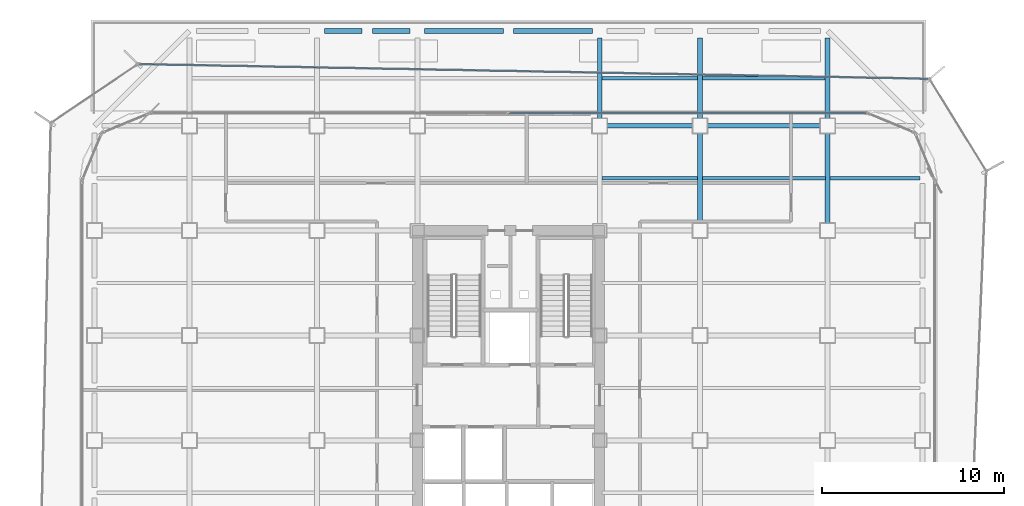
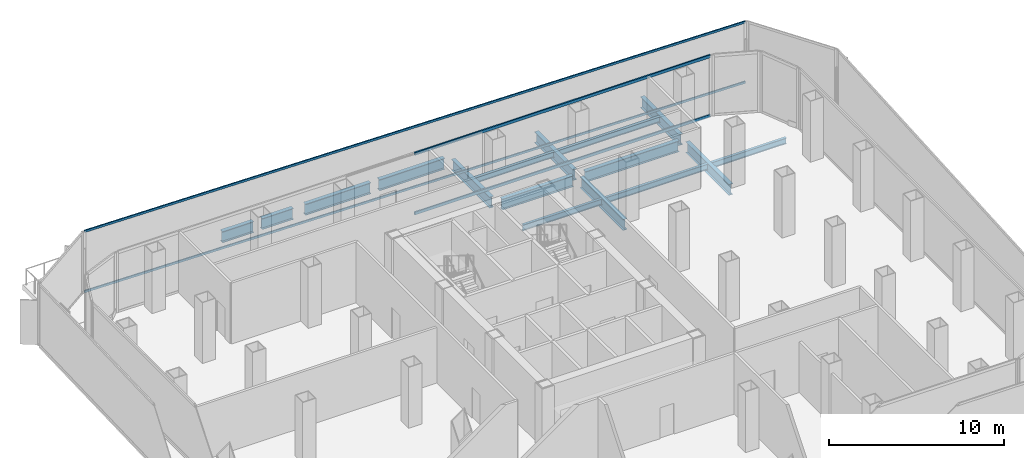
# One storey, part 13 of 21: 16 beams, 4 members, 2 elements without a shape of their own.
"""IFC4 building model written with IfcOpenShell, lengths in metres."""

import ifcopenshell
import ifcopenshell.guid

model = None  # the IFC model being written
_history = None  # IfcOwnerHistory: only IFC2X3 demands one
_inside = {}  # id of a spatial element -> (the spatial element, [elements in it])
_under = {}  # id of a project, library or spatial element -> (it, [spatial elements below it])
_declared = {}  # id of a project -> (the project, [libraries it declares])
_typed = {}  # id of a type object -> (the type object, [elements of that type])
_made_of = {}  # id of a material, layer set ... -> (it, [elements and type objects made of it])


def new_model(schema):
    """Start an empty IFC model of exactly this schema.

    Asked for "IFC4X3", IfcOpenShell would pick the latest addendum, in which some entities
    have other attributes; the version numbers below select the first issue.
    IFC2X3 requires an IfcOwnerHistory on every rooted entity: one is made here for all.
    """
    global model, _history
    if schema == "IFC4X3":
        model = ifcopenshell.file(schema_version=(4, 3, 0, 0))
    else:
        model = ifcopenshell.file(schema=schema)
    _inside.clear()
    _under.clear()
    _declared.clear()
    _typed.clear()
    _made_of.clear()
    _history = None
    if model.schema == "IFC2X3":
        org = make("IfcOrganization", Name="unknown")
        user = make(
            "IfcPersonAndOrganization",
            ThePerson=make("IfcPerson", FamilyName="unknown"),
            TheOrganization=org,
        )
        app = make(
            "IfcApplication",
            ApplicationDeveloper=org,
            Version="unknown",
            ApplicationFullName="unknown",
            ApplicationIdentifier="unknown",
        )
        _history = make(
            "IfcOwnerHistory",
            OwningUser=user,
            OwningApplication=app,
            ChangeAction="ADDED",
            CreationDate=0,
        )
    return model


def make(cls, **values):
    """One entity of the class cls with the attributes given. An attribute that is None is left unset."""
    return model.create_entity(
        cls, **{name: value for name, value in values.items() if value is not None}
    )


def rooted(cls, **values):
    """An entity with a GlobalId (a new one), such as an element, a storey or a relation."""
    return make(cls, GlobalId=ifcopenshell.guid.new(), OwnerHistory=_history, **values)


def si_unit(unit_type, name, prefix=None):
    """IfcSIUnit, for example si_unit("LENGTHUNIT", "METRE", prefix="MILLI")."""
    return make("IfcSIUnit", UnitType=unit_type, Prefix=prefix, Name=name)


def assignment(units):
    """IfcUnitAssignment: the units of a project."""
    return None if units is None else make("IfcUnitAssignment", Units=units)


def point(xyz):
    """IfcCartesianPoint."""
    return None if xyz is None else make("IfcCartesianPoint", Coordinates=xyz)


def direction(xyz):
    """IfcDirection."""
    return None if xyz is None else make("IfcDirection", DirectionRatios=xyz)


def frame(location, z_axis=None, x_axis=None):
    """IfcAxis2Placement3D, a coordinate frame: its origin and axes. An axis left out is left unset."""
    return make(
        "IfcAxis2Placement3D",
        Location=point(location),
        Axis=direction(z_axis),
        RefDirection=direction(x_axis),
    )


def frame_2d(location, x_axis=None):
    """IfcAxis2Placement2D, a coordinate frame in the plane: its origin and x axis."""
    return make(
        "IfcAxis2Placement2D", Location=point(location), RefDirection=direction(x_axis)
    )


def origin():
    """The frame at (0, 0, 0) with its axes left unset."""
    return frame((0.0, 0.0, 0.0))


def origin_2d():
    """The frame at (0, 0) in the plane with its x axis left unset."""
    return frame_2d((0.0, 0.0))


def place(relative_to, where):
    """IfcLocalPlacement: puts the frame where relative to a parent placement (None: the world)."""
    return make(
        "IfcLocalPlacement", PlacementRelTo=relative_to, RelativePlacement=where
    )


def context(
    kind, dimensions, precision=None, world=None, true_north=None, identifier=None
):
    """IfcGeometricRepresentationContext, for example the 3D "Model" context."""
    return make(
        "IfcGeometricRepresentationContext",
        ContextIdentifier=identifier,
        ContextType=kind,
        CoordinateSpaceDimension=dimensions,
        Precision=precision,
        WorldCoordinateSystem=world,
        TrueNorth=true_north,
    )


def subcontext(parent, identifier, kind, view, scale=None):
    """IfcGeometricRepresentationSubContext, for example "Body" below "Model"."""
    return make(
        "IfcGeometricRepresentationSubContext",
        ContextIdentifier=identifier,
        ContextType=kind,
        ParentContext=parent,
        TargetScale=scale,
        TargetView=view,
    )


def project(units=None, contexts=None):
    """IfcProject with its units and contexts."""
    return rooted(
        "IfcProject",
        Name="project",
        RepresentationContexts=contexts,
        UnitsInContext=assignment(units),
    )


def spatial(cls, under=None, at=None, **own):
    """A site, building, storey or space (cls), placed at a placement, below another one or the project."""
    s = rooted(cls, ObjectPlacement=at, **own)
    if under is not None:
        _under.setdefault(under.id(), (under, []))[1].append(s)
    return s


def profile(cls, at=None, kind="AREA", **sizes):
    """A parametric profile (cls). Its sizes go by their IFC names, for example OverallWidth=200.0."""
    return make(cls, ProfileType=kind, Position=at, **sizes)


def hollow_rectangle(**sizes):
    """IfcRectangleHollowProfileDef."""
    return profile("IfcRectangleHollowProfileDef", **sizes)


def i_section(**sizes):
    """IfcIShapeProfileDef."""
    return profile("IfcIShapeProfileDef", **sizes)


def extrude(swept, where, along, depth):
    """IfcExtrudedAreaSolid: the profile swept, set in the frame where, extruded along a direction by depth."""
    return make(
        "IfcExtrudedAreaSolid",
        SweptArea=swept,
        Position=where,
        ExtrudedDirection=direction(along),
        Depth=depth,
    )


def shape(context_of_items, identifier, shape_type, items):
    """IfcShapeRepresentation: the items that make up one representation, for example the "Body"."""
    return make(
        "IfcShapeRepresentation",
        ContextOfItems=context_of_items,
        RepresentationIdentifier=identifier,
        RepresentationType=shape_type,
        Items=items,
    )


def source(mapping_origin, context_of_items, identifier, shape_type, items):
    """IfcRepresentationMap: a shape defined once, which mapped items show again and again."""
    return make(
        "IfcRepresentationMap",
        MappingOrigin=mapping_origin,
        MappedRepresentation=shape(context_of_items, identifier, shape_type, items),
    )


def transform(
    local_origin,
    x_axis=None,
    y_axis=None,
    z_axis=None,
    scale=None,
    scale2=None,
    scale3=None,
    uniform=True,
):
    """IfcCartesianTransformationOperator3D, or its non-uniform kind. x_axis, y_axis, z_axis: its Axis1, 2, 3."""
    if uniform:
        return make(
            "IfcCartesianTransformationOperator3D",
            Axis1=direction(x_axis),
            Axis2=direction(y_axis),
            LocalOrigin=point(local_origin),
            Scale=scale,
            Axis3=direction(z_axis),
        )
    return make(
        "IfcCartesianTransformationOperator3DnonUniform",
        Axis1=direction(x_axis),
        Axis2=direction(y_axis),
        LocalOrigin=point(local_origin),
        Scale=scale,
        Axis3=direction(z_axis),
        Scale2=scale2,
        Scale3=scale3,
    )


def mapped(mapping_source, mapping_target):
    """IfcMappedItem: shows the shape of a source again, moved by a transform."""
    return make(
        "IfcMappedItem", MappingSource=mapping_source, MappingTarget=mapping_target
    )


def material(Name=None, Category=None):
    """IfcMaterial."""
    return make("IfcMaterial", Name=Name, Category=Category)


def layer(
    of_material, thickness, ventilated=None, Name=None, Category=None, Priority=None
):
    """IfcMaterialLayer: one layer of a wall or slab, of a material (None: an air gap)."""
    return make(
        "IfcMaterialLayer",
        Material=of_material,
        LayerThickness=thickness,
        IsVentilated=ventilated,
        Name=Name,
        Category=Category,
        Priority=Priority,
    )


def layer_set(layers, Name=None):
    """IfcMaterialLayerSet."""
    return make("IfcMaterialLayerSet", MaterialLayers=layers, LayerSetName=Name)


def material_profile(
    of_material, cross_section, Name=None, Category=None, Priority=None
):
    """IfcMaterialProfile: a cross section and its material."""
    return make(
        "IfcMaterialProfile",
        Name=Name,
        Material=of_material,
        Profile=cross_section,
        Priority=Priority,
        Category=Category,
    )


def profile_set(profiles, Name=None, composite=None):
    """IfcMaterialProfileSet."""
    return make(
        "IfcMaterialProfileSet",
        Name=Name,
        MaterialProfiles=profiles,
        CompositeProfile=composite,
    )


def made_of(thing, what):
    """Note that an element or type object is made of a material, layer set ...; save() writes the relation."""
    if what is not None:
        _made_of.setdefault(what.id(), (what, []))[1].append(thing)
    return thing


def type_object(cls, material=None, **own):
    """A type object (cls), such as IfcWallType, which elements share."""
    return made_of(rooted(cls, **own), material)


def element(
    cls,
    number,
    at=None,
    inside=None,
    cuts=None,
    type_object=None,
    material=None,
    context=None,
    identifier="Body",
    shape_type=None,
    held_by="IfcProductDefinitionShape",
    body=None,
    shapes=None,
    **own,
):
    """One element of the class cls, such as IfcWall. Its Tag is "e" and its number.

    at: its placement. inside: the storey or other place that contains it. cuts: it is an
    opening in that element (IfcRelVoidsElement). A single representation is given by context,
    identifier, shape_type and body (its items); several are given by shapes. held_by: the class
    of the entity that holds the representations. save() writes the other relations.
    """
    e = rooted(cls, Tag="e%d" % number, ObjectPlacement=at, **own)
    if body is not None:
        shapes = [shape(context, identifier, shape_type, body)]
    if shapes is not None:
        e.Representation = make(held_by, Representations=shapes)
    if inside is not None:
        _inside.setdefault(inside.id(), (inside, []))[1].append(e)
    if cuts is not None:
        rooted(
            "IfcRelVoidsElement", RelatingBuildingElement=cuts, RelatedOpeningElement=e
        )
    if type_object is not None:
        _typed.setdefault(type_object.id(), (type_object, []))[1].append(e)
    return made_of(e, material)


def aggregate(whole, parts):
    """IfcRelAggregates: a whole, such as a stair, and the parts it consists of."""
    return rooted("IfcRelAggregates", RelatingObject=whole, RelatedObjects=parts)


def save(model, path):
    """Write the relations noted so far, then the file.

    IfcRelAggregates (storeys below a building ...), IfcRelContainedInSpatialStructure (elements
    in a storey), IfcRelDefinesByType, IfcRelAssociatesMaterial and IfcRelDeclares: one each for
    every whole, place, type object, material and project.
    """
    for whole, parts in _under.values():
        aggregate(whole, parts)
    for where, things in _inside.values():
        rooted(
            "IfcRelContainedInSpatialStructure",
            RelatedElements=things,
            RelatingStructure=where,
        )
    for kind, things in _typed.values():
        rooted("IfcRelDefinesByType", RelatedObjects=things, RelatingType=kind)
    for what, things in _made_of.values():
        rooted("IfcRelAssociatesMaterial", RelatedObjects=things, RelatingMaterial=what)
    for by, libraries in _declared.values():
        rooted("IfcRelDeclares", RelatingContext=by, RelatedDefinitions=libraries)
    model.write(path)


model = new_model("IFC4")

# Units and contexts
model_context = context("Model", 3, precision=1e-05, world=origin(), true_north=direction((0.0, 1.0)))
body_context = subcontext(model_context, "Body", "Model", "MODEL_VIEW")
ifc_project = project(units=[si_unit("LENGTHUNIT", "METRE"), si_unit("AREAUNIT", "SQUARE_METRE"), si_unit("VOLUMEUNIT", "CUBIC_METRE"), si_unit("PLANEANGLEUNIT", "RADIAN"), si_unit("MASSUNIT", "GRAM", prefix="KILO")], contexts=[model_context])

# Site, building, storey
site_placement = place(None, origin())
site = spatial("IfcSite", under=ifc_project, at=site_placement, CompositionType="ELEMENT")
building_placement = place(site_placement, origin())
building = spatial("IfcBuilding", under=site, at=building_placement, Name="Kolveth Station Tower", CompositionType="ELEMENT")
storey_placement = place(building_placement, frame((0.0, 0.0, 88.199951171875)))
storey = spatial("IfcBuildingStorey", under=building, at=storey_placement, Name="L23", CompositionType="ELEMENT", Elevation=88.199951171875)

# Beams
ifc_material_1 = material(Name="Steel S355", Category="steel")
ifc_material_profile_1 = material_profile(ifc_material_1, i_section(OverallWidth=0.26904296875, OverallDepth=0.77490234375, WebThickness=0.01708984375, FlangeThickness=0.0283203125, at=origin_2d()), Name="W760x220")
ifc_profile_set_1 = profile_set([ifc_material_profile_1], Name="Steel S355")
beam_type_1 = type_object("IfcBeamType", Name="Beam_SP1", PredefinedType="SPANDREL", material=ifc_profile_set_1)
shared_shape_1 = source(origin(), body_context, "Body", "SweptSolid", [
    extrude(i_section(OverallWidth=0.26904296875, OverallDepth=0.77490234375, WebThickness=0.01708984375, FlangeThickness=0.0283203125, at=origin_2d()), origin(), (0.0, 0.0, 1.0), 2.070068359375),
])
for number, where, z_axis, x_axis, name in (
    (1, (13.39990234375, 39.699951171875, -0.74755859375), (1.0, 0.0, 0.0), (0.0, 1.0, 0.0), "L23 Perimeter Spandrel BM-L23-PN-3"),
    (2, (16.030029296875, 39.699951171875, -0.74755859375), (1.0, 0.0, 0.0), (0.0, 1.0, 0.0), "L23 Perimeter Spandrel BM-L23-PN-4"),
):
    element("IfcBeam", number, at=place(storey_placement, frame(where, z_axis=z_axis, x_axis=x_axis)), inside=storey, type_object=beam_type_1, Name=name, PredefinedType="SPANDREL", context=body_context, shape_type="MappedRepresentation", body=[
        mapped(shared_shape_1, transform((0.0, 0.0, 0.0), x_axis=(1.0, 0.0, 0.0), y_axis=(0.0, 1.0, 0.0), z_axis=(0.0, 0.0, 1.0), scale=1.0)),
    ])
shared_shape_2 = source(origin(), body_context, "Body", "SweptSolid", [
    extrude(i_section(OverallWidth=0.26904296875, OverallDepth=0.77490234375, WebThickness=0.01708984375, FlangeThickness=0.0283203125, at=origin_2d()), origin(), (0.0, 0.0, 1.0), 4.320068359375),
])
for number, where, z_axis, x_axis, name in (
    (3, (18.89990234375, 39.699951171875, -0.74755859375), (1.0, 0.0, 0.0), (0.0, 1.0, 0.0), "L23 Perimeter Spandrel BM-L23-PN-5"),
    (4, (23.780029296875, 39.699951171875, -0.74755859375), (1.0, 0.0, 0.0), (0.0, 1.0, 0.0), "L23 Perimeter Spandrel BM-L23-PN-6"),
):
    element("IfcBeam", number, at=place(storey_placement, frame(where, z_axis=z_axis, x_axis=x_axis)), inside=storey, type_object=beam_type_1, Name=name, PredefinedType="SPANDREL", context=body_context, shape_type="MappedRepresentation", body=[
        mapped(shared_shape_2, transform((0.0, 0.0, 0.0), x_axis=(1.0, 0.0, 0.0), y_axis=(0.0, 1.0, 0.0), z_axis=(0.0, 0.0, 1.0), scale=1.0)),
    ])
ifc_material_profile_2 = material_profile(ifc_material_1, i_section(OverallWidth=0.26708984375, OverallDepth=0.76611328125, WebThickness=0.014892578125, FlangeThickness=0.023681640625, at=origin_2d()), Name="W760x185")
ifc_profile_set_2 = profile_set([ifc_material_profile_2], Name="Steel S355")
beam_type_2 = type_object("IfcBeamType", Name="Beam_B3", PredefinedType="BEAM", material=ifc_profile_set_2)
shared_shape_3 = source(origin(), body_context, "Body", "SweptSolid", [
    extrude(i_section(OverallWidth=0.26708984375, OverallDepth=0.76611328125, WebThickness=0.014892578125, FlangeThickness=0.023681640625, at=origin_2d()), origin(), (0.0, 0.0, 1.0), 4.400146484375),
])
for number, where, z_axis, x_axis, name in (
    (5, (28.5, 34.89990234375, -0.742919921875), (0.0, 1.0, 0.0), (-1.0, 0.0, 0.0), "L23 Primary Girder BM-L23-GX285-7"),
    (6, (34.0, 34.89990234375, -0.742919921875), (0.0, 1.0, 0.0), (-1.0, 0.0, 0.0), "L23 Primary Girder BM-L23-GX340-7"),
    (7, (41.0, 34.89990234375, -0.742919921875), (0.0, 1.0, 0.0), (-1.0, 0.0, 0.0), "L23 Primary Girder BM-L23-GX410-7"),
):
    element("IfcBeam", number, at=place(storey_placement, frame(where, z_axis=z_axis, x_axis=x_axis)), inside=storey, type_object=beam_type_2, Name=name, PredefinedType="BEAM", context=body_context, shape_type="MappedRepresentation", body=[
        mapped(shared_shape_3, transform((0.0, 0.0, 0.0), x_axis=(1.0, 0.0, 0.0), y_axis=(0.0, 1.0, 0.0), z_axis=(0.0, 0.0, 1.0), scale=1.0)),
    ])
shared_shape_4 = source(origin(), body_context, "Body", "SweptSolid", [
    extrude(i_section(OverallWidth=0.26708984375, OverallDepth=0.76611328125, WebThickness=0.014892578125, FlangeThickness=0.023681640625, at=origin_2d()), origin(), (0.0, 0.0, 1.0), 6.2001953125),
])
beam_1_placement = place(storey_placement, frame((34.39990234375, 34.5, -0.742919921875), z_axis=(1.0, 0.0, 0.0), x_axis=(0.0, 1.0, 0.0)))
element("IfcBeam", 8, at=beam_1_placement, inside=storey, type_object=beam_type_2, Name="L23 Primary Girder BM-L23-GY345-6", PredefinedType="BEAM", context=body_context, shape_type="MappedRepresentation", body=[
    mapped(shared_shape_4, transform((0.0, 0.0, 0.0), x_axis=(1.0, 0.0, 0.0), y_axis=(0.0, 1.0, 0.0), z_axis=(0.0, 0.0, 1.0), scale=1.0)),
])
shared_shape_5 = source(origin(), body_context, "Body", "SweptSolid", [
    extrude(i_section(OverallWidth=0.26708984375, OverallDepth=0.76611328125, WebThickness=0.014892578125, FlangeThickness=0.023681640625, at=origin_2d()), origin(), (0.0, 0.0, 1.0), 4.7001953125),
])
beam_2_placement = place(storey_placement, frame((28.89990234375, 34.5, -0.742919921875), z_axis=(1.0, 0.0, 0.0), x_axis=(0.0, 1.0, 0.0)))
element("IfcBeam", 9, at=beam_2_placement, inside=storey, type_object=beam_type_2, Name="L23 Primary Girder BM-L23-GY345-5", PredefinedType="BEAM", context=body_context, shape_type="MappedRepresentation", body=[
    mapped(shared_shape_5, transform((0.0, 0.0, 0.0), x_axis=(1.0, 0.0, 0.0), y_axis=(0.0, 1.0, 0.0), z_axis=(0.0, 0.0, 1.0), scale=1.0)),
])
shared_shape_6 = source(origin(), body_context, "Body", "SweptSolid", [
    extrude(i_section(OverallWidth=0.26708984375, OverallDepth=0.76611328125, WebThickness=0.014892578125, FlangeThickness=0.023681640625, at=origin_2d()), origin(), (0.0, 0.0, 1.0), 4.9501953125),
])
for number, where, z_axis, x_axis, name in (
    (10, (34.0, 29.14990234375, -0.742919921875), (0.0, 1.0, 0.0), (-1.0, 0.0, 0.0), "L23 Primary Girder BM-L23-GX340-6"),
    (11, (41.0, 29.14990234375, -0.742919921875), (0.0, 1.0, 0.0), (-1.0, 0.0, 0.0), "L23 Primary Girder BM-L23-GX410-6"),
):
    element("IfcBeam", number, at=place(storey_placement, frame(where, z_axis=z_axis, x_axis=x_axis)), inside=storey, type_object=beam_type_2, Name=name, PredefinedType="BEAM", context=body_context, shape_type="MappedRepresentation", body=[
        mapped(shared_shape_6, transform((0.0, 0.0, 0.0), x_axis=(1.0, 0.0, 0.0), y_axis=(0.0, 1.0, 0.0), z_axis=(0.0, 0.0, 1.0), scale=1.0)),
    ])
ifc_material_profile_3 = material_profile(ifc_material_1, i_section(OverallWidth=0.177978515625, OverallDepth=0.406982421875, WebThickness=0.0078125, FlangeThickness=0.0126953125, at=origin_2d()), Name="W410x60")
ifc_profile_set_3 = profile_set([ifc_material_profile_3], Name="Steel S355")
beam_type_3 = type_object("IfcBeamType", Name="Beam_J1", PredefinedType="JOIST", material=ifc_profile_set_3)
shared_shape_7 = source(origin(), body_context, "Body", "SweptSolid", [
    extrude(i_section(OverallWidth=0.177978515625, OverallDepth=0.406982421875, WebThickness=0.0078125, FlangeThickness=0.0126953125, at=origin_2d()), origin(), (0.0, 0.0, 1.0), 4.935791015625),
])
beam_3_placement = place(storey_placement, frame((41.131591796875, 31.625, -0.5634765625), z_axis=(1.0, 0.0, 0.0), x_axis=(0.0, 1.0, 0.0)))
element("IfcBeam", 12, at=beam_3_placement, inside=storey, type_object=beam_type_3, Name="L23 Secondary Joist JST-L23-7-6", PredefinedType="JOIST", context=body_context, shape_type="MappedRepresentation", body=[
    mapped(shared_shape_7, transform((0.0, 0.0, 0.0), x_axis=(1.0, 0.0, 0.0), y_axis=(0.0, 1.0, 0.0), z_axis=(0.0, 0.0, 1.0), scale=1.0)),
])
shared_shape_8 = source(origin(), body_context, "Body", "SweptSolid", [
    extrude(i_section(OverallWidth=0.177978515625, OverallDepth=0.406982421875, WebThickness=0.0078125, FlangeThickness=0.0126953125, at=origin_2d()), origin(), (0.0, 0.0, 1.0), 6.73681640625),
])
for number, where, z_axis, x_axis, name in (
    (13, (34.131591796875, 31.625, -0.5634765625), (1.0, 0.0, 0.0), (0.0, 1.0, 0.0), "L23 Secondary Joist JST-L23-6-6"),
    (14, (34.131591796875, 37.10009765625, -0.5634765625), (1.0, 0.0, 0.0), (0.0, 1.0, 0.0), "L23 Secondary Joist JST-L23-6-7"),
):
    element("IfcBeam", number, at=place(storey_placement, frame(where, z_axis=z_axis, x_axis=x_axis)), inside=storey, type_object=beam_type_3, Name=name, PredefinedType="JOIST", context=body_context, shape_type="MappedRepresentation", body=[
        mapped(shared_shape_8, transform((0.0, 0.0, 0.0), x_axis=(1.0, 0.0, 0.0), y_axis=(0.0, 1.0, 0.0), z_axis=(0.0, 0.0, 1.0), scale=1.0)),
    ])
shared_shape_9 = source(origin(), body_context, "Body", "SweptSolid", [
    extrude(i_section(OverallWidth=0.177978515625, OverallDepth=0.406982421875, WebThickness=0.0078125, FlangeThickness=0.0126953125, at=origin_2d()), origin(), (0.0, 0.0, 1.0), 5.23681640625),
])
for number, where, z_axis, x_axis, name in (
    (15, (28.631591796875, 31.625, -0.5634765625), (1.0, 0.0, 0.0), (0.0, 1.0, 0.0), "L23 Secondary Joist JST-L23-5-6"),
    (16, (28.631591796875, 37.10009765625, -0.5634765625), (1.0, 0.0, 0.0), (0.0, 1.0, 0.0), "L23 Secondary Joist JST-L23-5-7"),
):
    element("IfcBeam", number, at=place(storey_placement, frame(where, z_axis=z_axis, x_axis=x_axis)), inside=storey, type_object=beam_type_3, Name=name, PredefinedType="JOIST", context=body_context, shape_type="MappedRepresentation", body=[
        mapped(shared_shape_9, transform((0.0, 0.0, 0.0), x_axis=(1.0, 0.0, 0.0), y_axis=(0.0, 1.0, 0.0), z_axis=(0.0, 0.0, 1.0), scale=1.0)),
    ])

# Curtain wall, members
ifc_material_2 = material(Name="Aluminium 6063-T6 and acoustic laminated dark glass", Category="aluminium")
ifc_layer_1 = layer(ifc_material_2, 0.219970703125)
ifc_layer_set_1 = layer_set([ifc_layer_1], Name="Aluminium 6063-T6 and acoustic laminated dark glass")
curtain_wall_type_1 = type_object("IfcCurtainWallType", Name="CurtainWall_CW-SL", PredefinedType="NOTDEFINED", material=ifc_layer_set_1)
curtain_wall_1_placement = place(storey_placement, origin())
curtain_wall_1 = element("IfcCurtainWall", 17, at=curtain_wall_1_placement, inside=storey, type_object=curtain_wall_type_1, Name="L23 Inner Thermal Curtain Wall 6", PredefinedType="NOTDEFINED")
ifc_material_3 = material(Name="Black anodized aluminium 6063-T6", Category="aluminium")
ifc_material_profile_4 = material_profile(ifc_material_3, hollow_rectangle(XDim=0.090087890625, YDim=0.199951171875, WallThickness=0.0048828125, at=origin_2d()), Name="ALU-90x200x5")
ifc_profile_set_4 = profile_set([ifc_material_profile_4], Name="Black anodized aluminium 6063-T6")
member_type_1 = type_object("IfcMemberType", Name="Transom_TR-SL", PredefinedType="USERDEFINED", material=ifc_profile_set_4)
shared_shape_10 = source(origin(), body_context, "Body", "SweptSolid", [
    extrude(hollow_rectangle(XDim=0.090087890625, YDim=0.199951171875, WallThickness=0.0048828125, at=origin_2d()), origin(), (0.0, 0.0, 1.0), 19.557373046875),
])
member_1_placement = place(storey_placement, frame((43.10498046875, 35.179931640625, 0.045166015625), z_axis=(-1.0, 0.0, 0.0), x_axis=(0.0, -1.0, 0.0)))
member_1 = element("IfcMember", 18, at=member_1_placement, type_object=member_type_1, Name="CW-SL transom 1.1", ObjectType="TRANSOM", PredefinedType="USERDEFINED", context=body_context, shape_type="MappedRepresentation", body=[
    mapped(shared_shape_10, transform((0.0, 0.0, 0.0), x_axis=(1.0, 0.0, 0.0), y_axis=(0.0, 1.0, 0.0), z_axis=(0.0, 0.0, 1.0), scale=1.0)),
])
member_2_placement = place(storey_placement, frame((43.10498046875, 35.179931640625, 4.205078125), z_axis=(-1.0, 0.0, 0.0), x_axis=(0.0, -1.0, 0.0)))
member_2 = element("IfcMember", 19, at=member_2_placement, type_object=member_type_1, Name="CW-SL transom 1.2", ObjectType="TRANSOM", PredefinedType="USERDEFINED", context=body_context, shape_type="MappedRepresentation", body=[
    mapped(shared_shape_10, transform((0.0, 0.0, 0.0), x_axis=(1.0, 0.0, 0.0), y_axis=(0.0, 1.0, 0.0), z_axis=(0.0, 0.0, 1.0), scale=1.0)),
])
aggregate(curtain_wall_1, [member_1, member_2])

ifc_material_4 = material(Name="Black anodized aluminium 6063-T6 and dark solar glass", Category="aluminium")
ifc_layer_2 = layer(ifc_material_4, 0.159912109375)
ifc_layer_set_2 = layer_set([ifc_layer_2], Name="Black anodized aluminium 6063-T6 and dark solar glass")
curtain_wall_type_2 = type_object("IfcCurtainWallType", Name="OUTER SKIN CW-OS", PredefinedType="NOTDEFINED", material=ifc_layer_set_2)
curtain_wall_2_placement = place(storey_placement, origin())
curtain_wall_2 = element("IfcCurtainWall", 20, at=curtain_wall_2_placement, inside=storey, type_object=curtain_wall_type_2, Name="L23 Outer Ventilated Skin Curtain Wall 4", PredefinedType="NOTDEFINED")
ifc_material_profile_5 = material_profile(ifc_material_3, hollow_rectangle(XDim=0.080078125, YDim=0.14990234375, WallThickness=0.0048828125, at=origin_2d()), Name="ALU-80x150x5")
ifc_profile_set_5 = profile_set([ifc_material_profile_5], Name="Black anodized aluminium 6063-T6")
member_type_2 = type_object("IfcMemberType", Name="Transom_TR-OS", PredefinedType="USERDEFINED", material=ifc_profile_set_5)
shared_shape_11 = source(origin(), body_context, "Body", "SweptSolid", [
    extrude(hollow_rectangle(XDim=0.080078125, YDim=0.14990234375, WallThickness=0.0048828125, at=origin_2d()), origin(), (0.0, 0.0, 1.0), 43.236083984375),
])
member_3_placement = place(storey_placement, frame((46.502197265625, 37.070068359375, 0.0400390625), z_axis=(-0.999827105857, 0.018594579698, 0.0), x_axis=(-0.018594579698, -0.999827105857, 0.0)))
member_3 = element("IfcMember", 21, at=member_3_placement, type_object=member_type_2, Name="CW-OS transom 1.1", ObjectType="TRANSOM", PredefinedType="USERDEFINED", context=body_context, shape_type="MappedRepresentation", body=[
    mapped(shared_shape_11, transform((0.0, 0.0, 0.0), x_axis=(1.0, 0.0, 0.0), y_axis=(0.0, 1.0, 0.0), z_axis=(0.0, 0.0, 1.0), scale=1.0)),
])
member_4_placement = place(storey_placement, frame((46.502197265625, 37.070068359375, 4.25), z_axis=(-0.999827105857, 0.018594579698, 0.0), x_axis=(-0.018594579698, -0.999827105857, 0.0)))
member_4 = element("IfcMember", 22, at=member_4_placement, type_object=member_type_2, Name="CW-OS transom 1.2", ObjectType="TRANSOM", PredefinedType="USERDEFINED", context=body_context, shape_type="MappedRepresentation", body=[
    mapped(shared_shape_11, transform((0.0, 0.0, 0.0), x_axis=(1.0, 0.0, 0.0), y_axis=(0.0, 1.0, 0.0), z_axis=(0.0, 0.0, 1.0), scale=1.0)),
])
aggregate(curtain_wall_2, [member_3, member_4])

save(model, "model.ifc")
